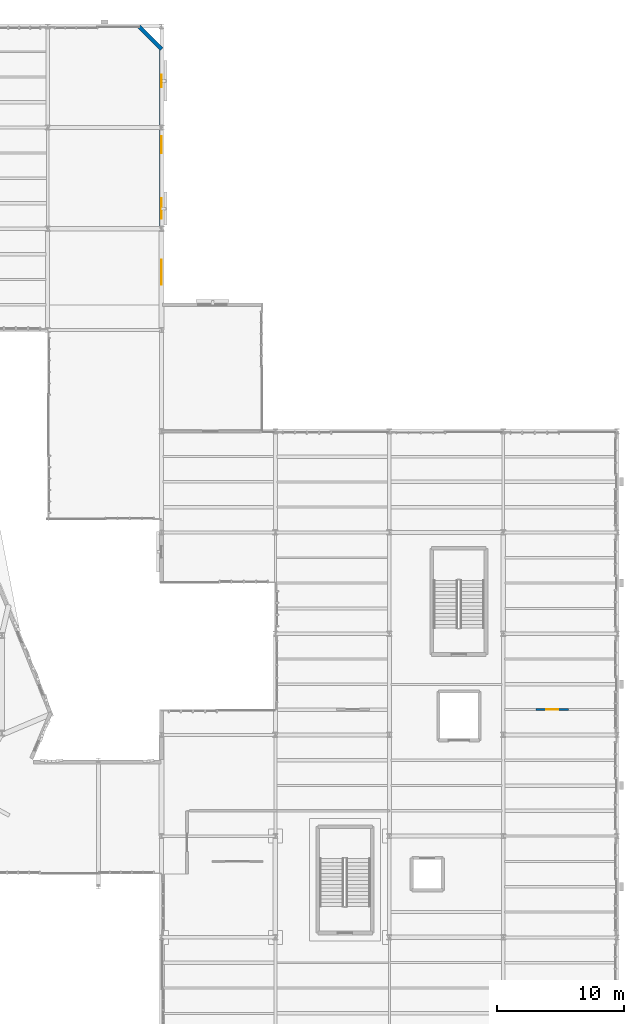
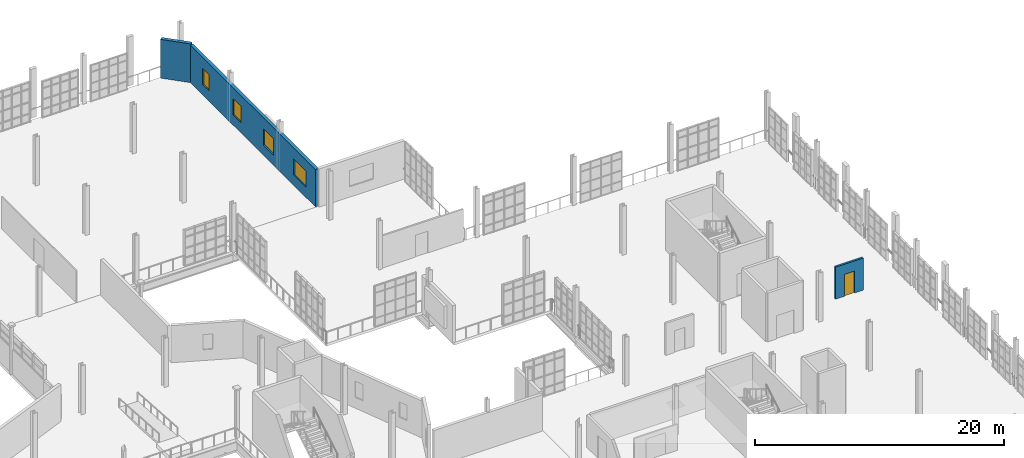
# One storey, part 103 of 122: 4 windows, 3 walls, 1 door, 5 openings.
"""IFC4 building model written with IfcOpenShell, lengths in metres."""

from ifc_helpers import new_model, si_unit, direction, frame, frame_2d, origin, place, context, subcontext, project, spatial, rectangle, extrude, material, layer, layer_set, type_object, element, fill, save


model = new_model("IFC4")

# Units and contexts
model_context = context("Model", 3, precision=1e-05, world=origin(), true_north=direction((0.0, 1.0)))
body_context = subcontext(model_context, "Body", "Model", "MODEL_VIEW")
ifc_project = project(units=[si_unit("LENGTHUNIT", "METRE"), si_unit("AREAUNIT", "SQUARE_METRE"), si_unit("VOLUMEUNIT", "CUBIC_METRE"), si_unit("PLANEANGLEUNIT", "RADIAN"), si_unit("MASSUNIT", "GRAM", prefix="KILO"), si_unit("THERMODYNAMICTEMPERATUREUNIT", "KELVIN"), si_unit("POWERUNIT", "WATT")], contexts=[model_context])

# Site, building, storey
site_placement = place(None, origin())
site = spatial("IfcSite", under=ifc_project, at=site_placement, CompositionType="ELEMENT")
building_placement = place(site_placement, origin())
building = spatial("IfcBuilding", under=site, at=building_placement, Name="Zelmaris Science Centre", CompositionType="ELEMENT")
storey_placement = place(building_placement, frame((0.0, 0.0, 10.800048828125)))
storey = spatial("IfcBuildingStorey", under=building, at=storey_placement, Name="L02", CompositionType="ELEMENT", Elevation=10.800048828125)

# Wall
ifc_material_1 = material(Name="Precast concrete C40/50", Category="concrete")
ifc_layer_1 = layer(ifc_material_1, 0.300048828125, Name="Precast concrete C40/50")
ifc_layer_set_1 = layer_set([ifc_layer_1], Name="Precast concrete C40/50")
wall_type_1 = type_object("IfcWallType", Name="Exterior Wall EW-04 300mm", PredefinedType="SOLIDWALL", material=ifc_layer_set_1)
wall_1_placement = place(storey_placement, frame((106.199951171875, 88.0, 0.0), z_axis=(0.0, 0.0, 1.0), x_axis=(0.707106781187, -0.707106781187, 0.0)))
element("IfcWall", 1, at=wall_1_placement, inside=storey, type_object=wall_type_1, Name="L02 Exterior wall 85", PredefinedType="SOLIDWALL", context=body_context, shape_type="SweptSolid", body=[
    extrude(rectangle(XDim=2.545654296875, YDim=0.300048828125, at=frame_2d((1.27294921875, 0.0))), origin(), (0.0, 0.0, 1.0), 3.803955078125),
])

# Wall, openings, windows
wall_2_placement = place(storey_placement, frame((108.0, 86.199951171875, 0.0), z_axis=(0.0, 0.0, 1.0), x_axis=(0.000133228364, -0.999999991125, 0.0)))
wall_2 = element("IfcWall", 2, at=wall_2_placement, inside=storey, type_object=wall_type_1, Name="L02 Exterior wall 86", PredefinedType="SOLIDWALL", context=body_context, shape_type="SweptSolid", body=[
    extrude(rectangle(XDim=20.157470703125, YDim=0.300048828125, at=frame_2d((10.07861328125, 0.0))), origin(), (0.0, 0.0, 1.0), 3.6689453125),
])
opening_1_placement = place(wall_2_placement, frame((2.019775390625, 0.0, 1.0)))
opening_1 = element("IfcOpeningElement", 3, at=opening_1_placement, cuts=wall_2, Name="Opening W-13", PredefinedType="OPENING", context=body_context, shape_type="SweptSolid", body=[
    extrude(rectangle(XDim=1.0, YDim=1.60009765625, at=frame_2d((0.5, 0.800048828125))), frame((0.0, 0.159912109375, 0.0), z_axis=(0.0, -1.0, 0.0), x_axis=(1.0, 0.0, 0.0)), (0.0, 0.0, 1.0), 0.320068359375),
])
opening_2_placement = place(wall_2_placement, frame((6.884033203125, 0.0, 1.0)))
opening_2 = element("IfcOpeningElement", 4, at=opening_2_placement, cuts=wall_2, Name="Opening W-14", PredefinedType="OPENING", context=body_context, shape_type="SweptSolid", body=[
    extrude(rectangle(XDim=1.35009765625, YDim=1.60009765625, at=frame_2d((0.675048828125, 0.800048828125))), frame((0.0, 0.159912109375, 0.0), z_axis=(0.0, -1.0, 0.0), x_axis=(1.0, 0.0, 0.0)), (0.0, 0.0, 1.0), 0.320068359375),
])
opening_3_placement = place(wall_2_placement, frame((11.7734375, 0.0, 1.0)))
opening_3 = element("IfcOpeningElement", 5, at=opening_3_placement, cuts=wall_2, Name="Opening W-15", PredefinedType="OPENING", context=body_context, shape_type="SweptSolid", body=[
    extrude(rectangle(XDim=1.64990234375, YDim=1.60009765625, at=frame_2d((0.824951171875, 0.800048828125))), frame((0.0, 0.159912109375, 0.0), z_axis=(0.0, -1.0, 0.0), x_axis=(1.0, 0.0, 0.0)), (0.0, 0.0, 1.0), 0.320068359375),
])
opening_4_placement = place(wall_2_placement, frame((16.66259765625, 0.0, 1.0)))
opening_4 = element("IfcOpeningElement", 6, at=opening_4_placement, cuts=wall_2, Name="Opening W-16", PredefinedType="OPENING", context=body_context, shape_type="SweptSolid", body=[
    extrude(rectangle(XDim=1.949951171875, YDim=1.60009765625, at=frame_2d((0.97509765625, 0.800048828125))), frame((0.0, 0.159912109375, 0.0), z_axis=(0.0, -1.0, 0.0), x_axis=(1.0, 0.0, 0.0)), (0.0, 0.0, 1.0), 0.320068359375),
])
ifc_material_2 = material(Name="Laminated hurricane-rated low-E insulated glazing", Category="glass")
window_type_1 = type_object("IfcWindowType", Name="Window W-13 1000x1600", PartitioningType="SINGLE_PANEL", PredefinedType="WINDOW", material=ifc_material_2)
window_1_placement = place(opening_1_placement, origin())
window_1 = element("IfcWindow", 7, at=window_1_placement, inside=storey, type_object=window_type_1, Name="L02 Facade window 37", OverallHeight=1.60009765625, OverallWidth=1.0, PartitioningType="SINGLE_PANEL", PredefinedType="WINDOW", context=body_context, shape_type="SweptSolid", body=[
    extrude(rectangle(XDim=1.0, YDim=1.60009765625, at=frame_2d((0.5, 0.800048828125))), frame((0.0, 0.030029296875, 0.0), z_axis=(0.0, -1.0, 0.0), x_axis=(1.0, 0.0, 0.0)), (0.0, 0.0, 1.0), 0.06005859375),
])
fill(opening_1, window_1)
window_type_2 = type_object("IfcWindowType", Name="Window W-14 1350x1600", PartitioningType="SINGLE_PANEL", PredefinedType="WINDOW", material=ifc_material_2)
window_2_placement = place(opening_2_placement, origin())
window_2 = element("IfcWindow", 8, at=window_2_placement, inside=storey, type_object=window_type_2, Name="L02 Facade window 38", OverallHeight=1.60009765625, OverallWidth=1.35009765625, PartitioningType="SINGLE_PANEL", PredefinedType="WINDOW", context=body_context, shape_type="SweptSolid", body=[
    extrude(rectangle(XDim=1.35009765625, YDim=1.60009765625, at=frame_2d((0.675048828125, 0.800048828125))), frame((0.0, 0.030029296875, 0.0), z_axis=(0.0, -1.0, 0.0), x_axis=(1.0, 0.0, 0.0)), (0.0, 0.0, 1.0), 0.06005859375),
])
fill(opening_2, window_2)
window_type_3 = type_object("IfcWindowType", Name="Window W-15 1650x1600", PartitioningType="SINGLE_PANEL", PredefinedType="WINDOW", material=ifc_material_2)
window_3_placement = place(opening_3_placement, origin())
window_3 = element("IfcWindow", 9, at=window_3_placement, inside=storey, type_object=window_type_3, Name="L02 Facade window 39", OverallHeight=1.60009765625, OverallWidth=1.64990234375, PartitioningType="SINGLE_PANEL", PredefinedType="WINDOW", context=body_context, shape_type="SweptSolid", body=[
    extrude(rectangle(XDim=1.64990234375, YDim=1.60009765625, at=frame_2d((0.824951171875, 0.800048828125))), frame((0.0, 0.030029296875, 0.0), z_axis=(0.0, -1.0, 0.0), x_axis=(1.0, 0.0, 0.0)), (0.0, 0.0, 1.0), 0.06005859375),
])
fill(opening_3, window_3)
window_type_4 = type_object("IfcWindowType", Name="Window W-16 1950x1600", PartitioningType="SINGLE_PANEL", PredefinedType="WINDOW", material=ifc_material_2)
window_4_placement = place(opening_4_placement, origin())
window_4 = element("IfcWindow", 10, at=window_4_placement, inside=storey, type_object=window_type_4, Name="L02 Facade window 40", OverallHeight=1.60009765625, OverallWidth=1.949951171875, PartitioningType="SINGLE_PANEL", PredefinedType="WINDOW", context=body_context, shape_type="SweptSolid", body=[
    extrude(rectangle(XDim=1.949951171875, YDim=1.60009765625, at=frame_2d((0.97509765625, 0.800048828125))), frame((0.0, 0.030029296875, 0.0), z_axis=(0.0, -1.0, 0.0), x_axis=(1.0, 0.0, 0.0)), (0.0, 0.0, 1.0), 0.06005859375),
])
fill(opening_4, window_4)

# Wall, opening, door
ifc_material_3 = material(Name="Autoclaved aerated concrete blockwork", Category="masonry")
ifc_layer_2 = layer(ifc_material_3, 0.179931640625, Name="Autoclaved aerated concrete blockwork")
ifc_layer_set_2 = layer_set([ifc_layer_2], Name="Autoclaved aerated concrete blockwork")
wall_type_2 = type_object("IfcWallType", Name="Interior Wall PT-04 180mm", PredefinedType="PARTITIONING", material=ifc_layer_set_2)
wall_3_placement = place(storey_placement, frame((140.175048828125, 34.0048828125, 0.0), z_axis=(0.0, 0.0, 1.0), x_axis=(-1.0, 0.0, 0.0)))
wall_3 = element("IfcWall", 11, at=wall_3_placement, inside=storey, type_object=wall_type_2, Name="L02 L02 Accessible WC entrance partition 58", PredefinedType="PARTITIONING", context=body_context, shape_type="SweptSolid", body=[
    extrude(rectangle(XDim=2.60009765625, YDim=0.179931640625, at=frame_2d((1.300048828125, 0.0))), origin(), (0.0, 0.0, 1.0), 3.14990234375),
])
opening_5_placement = place(wall_3_placement, frame((0.824951171875, 0.0, 0.0)))
opening_5 = element("IfcOpeningElement", 12, at=opening_5_placement, cuts=wall_3, Name="Opening D-IN2", PredefinedType="OPENING", context=body_context, shape_type="SweptSolid", body=[
    extrude(rectangle(XDim=0.949951171875, YDim=2.14990234375, at=frame_2d((0.47509765625, 1.074951171875))), frame((0.0, 0.099853515625, 0.0), z_axis=(0.0, -1.0, 0.0), x_axis=(1.0, 0.0, 0.0)), (0.0, 0.0, 1.0), 0.199951171875),
])
ifc_material_4 = material(Name="Solid tropical tzalam hardwood", Category="wood")
door_type = type_object("IfcDoorType", Name="Interior Door D-IN2 950x2150", OperationType="NOTDEFINED", PredefinedType="DOOR", material=ifc_material_4)
door_placement = place(opening_5_placement, origin())
door = element("IfcDoor", 13, at=door_placement, inside=storey, type_object=door_type, Name="L02 L02 Accessible WC door", OperationType="SINGLE_SWING_RIGHT", OverallHeight=2.14990234375, OverallWidth=0.949951171875, PredefinedType="DOOR", context=body_context, shape_type="SweptSolid", body=[
    extrude(rectangle(XDim=0.949951171875, YDim=2.14990234375, at=frame_2d((0.47509765625, 1.074951171875))), frame((0.0, 0.02490234375, 0.0), z_axis=(0.0, -1.0, 0.0), x_axis=(1.0, 0.0, 0.0)), (0.0, 0.0, 1.0), 0.050048828125),
])
fill(opening_5, door)

save(model, "model.ifc")
